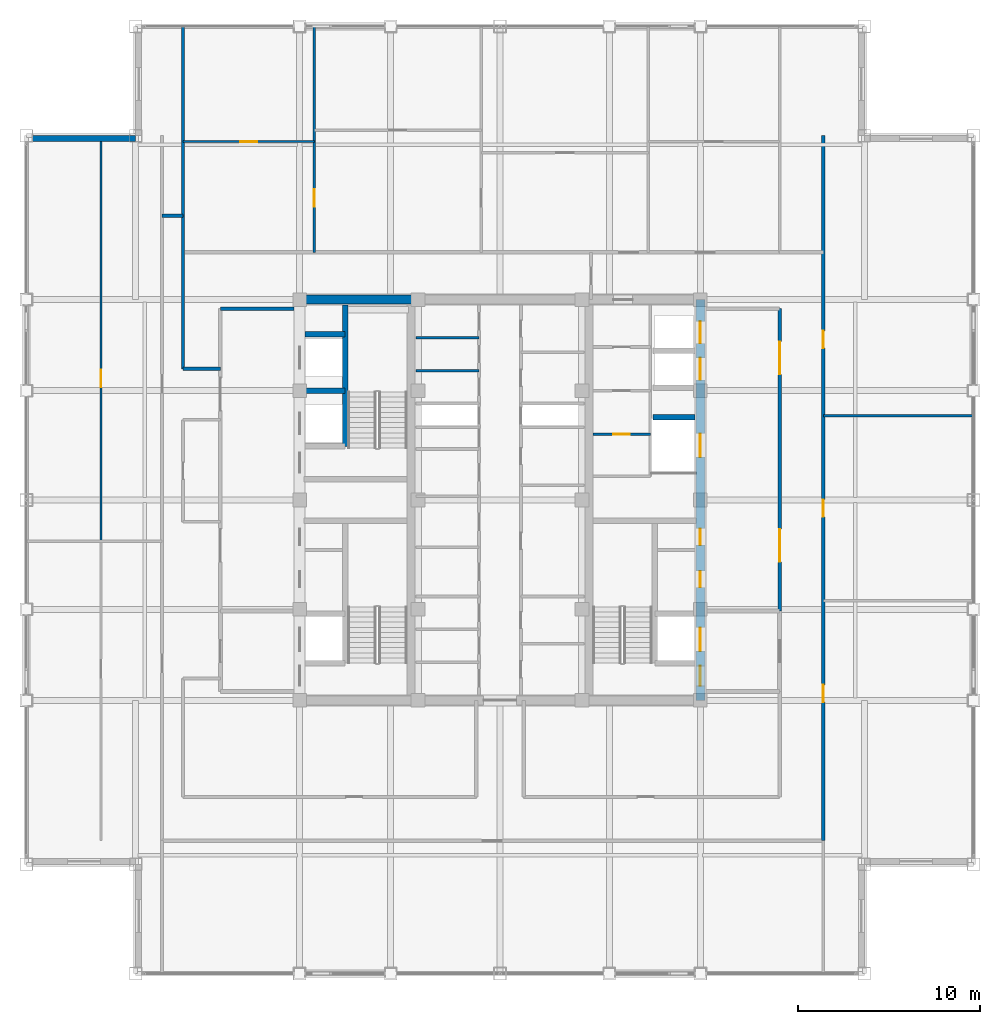
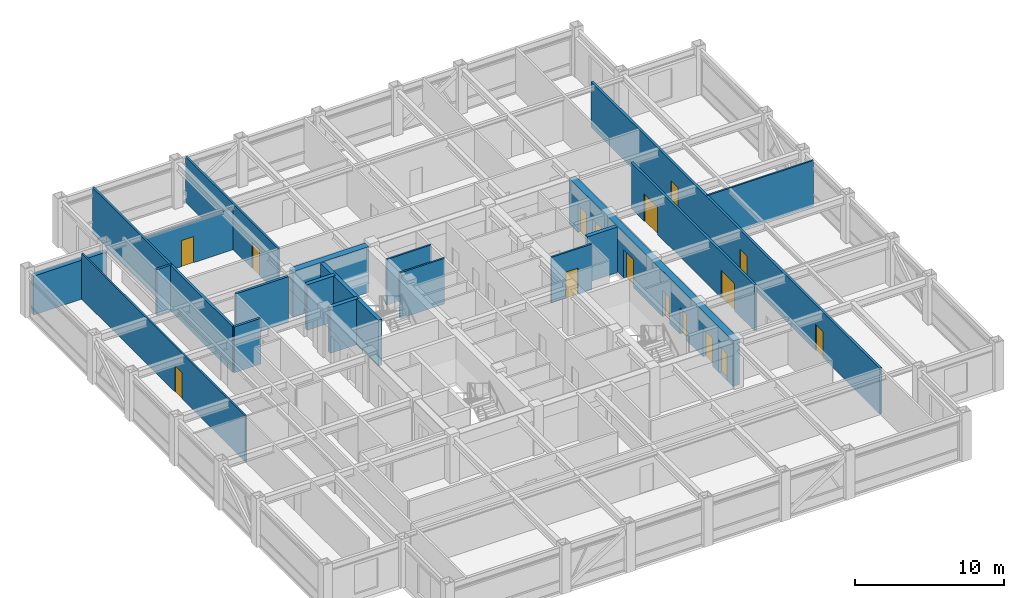
# One storey, part 26 of 29: 21 walls, 16 doors, 16 openings.
"""IFC4 building model written with IfcOpenShell, lengths in metres."""

from ifc_helpers import new_model, si_unit, direction, frame, frame_2d, origin, place, context, subcontext, project, spatial, rectangle, extrude, source, transform, mapped, material, layer, layer_set, type_object, element, fill, save


model = new_model("IFC4")

# Units and contexts
model_context = context("Model", 3, precision=1e-05, world=origin(), true_north=direction((0.0, 1.0)))
body_context = subcontext(model_context, "Body", "Model", "MODEL_VIEW")
ifc_project = project(units=[si_unit("LENGTHUNIT", "METRE"), si_unit("AREAUNIT", "SQUARE_METRE"), si_unit("VOLUMEUNIT", "CUBIC_METRE"), si_unit("PLANEANGLEUNIT", "RADIAN"), si_unit("MASSUNIT", "GRAM", prefix="KILO")], contexts=[model_context])

# Site, building, storey
site_placement = place(None, origin())
site = spatial("IfcSite", under=ifc_project, at=site_placement, CompositionType="ELEMENT")
building_placement = place(site_placement, origin())
building = spatial("IfcBuilding", under=site, at=building_placement, Name="Khorayat Bourse Tower", CompositionType="ELEMENT")
storey_placement = place(building_placement, frame((0.0, 0.0, 366.300048828125)))
storey = spatial("IfcBuildingStorey", under=building, at=storey_placement, Name="L87", CompositionType="ELEMENT", Elevation=366.300048828125)

# Wall, openings, doors
ifc_material_1 = material(Name="Concrete C52/65", Category="concrete")
ifc_layer_1 = layer(ifc_material_1, 0.5)
ifc_layer_set_1 = layer_set([ifc_layer_1], Name="Concrete C52/65")
wall_type_1 = type_object("IfcWallType", Name="WAL-CORE-500", PredefinedType="SHEAR", material=ifc_layer_set_1)
shared_shape_1 = source(origin(), body_context, "Body", "SweptSolid", [
    extrude(rectangle(XDim=22.0, YDim=0.5, at=frame_2d((11.0, 0.0))), origin(), (0.0, 0.0, 1.0), 3.739990234375),
])
wall_1_placement = place(storey_placement, frame((11.0, -11.0, 0.0), z_axis=(0.0, 0.0, 1.0), x_axis=(0.0, 1.0, 0.0)))
wall_1 = element("IfcWall", 1, at=wall_1_placement, inside=storey, type_object=wall_type_1, Name="L87 Core Shear Wall CORE-E", PredefinedType="SHEAR", context=body_context, shape_type="MappedRepresentation", body=[
    mapped(shared_shape_1, transform((0.0, 0.0, 0.0), scale=1.0)),
])
shared_shape_2 = source(origin(), body_context, "Body", "SweptSolid", [
    extrude(rectangle(XDim=1.10009765625, YDim=2.199951171875, at=frame_2d((0.550048828125, 1.10009765625))), frame((0.0, 0.260009765625, 0.0), z_axis=(0.0, -1.0, 0.0), x_axis=(1.0, 0.0, 0.0)), (0.0, 0.0, 1.0), 0.52001953125),
])
opening_1_placement = place(wall_1_placement, frame((0.800048828125, 0.0, 0.0)))
opening_1 = element("IfcOpeningElement", 2, at=opening_1_placement, cuts=wall_1, Name="Opening DI-01", PredefinedType="OPENING", context=body_context, shape_type="MappedRepresentation", body=[
    mapped(shared_shape_2, transform((0.0, 0.0, 0.0), scale=1.0)),
])
shared_shape_3 = source(origin(), body_context, "Body", "SweptSolid", [
    extrude(rectangle(XDim=0.89990234375, YDim=2.14990234375, at=frame_2d((0.449951171875, 1.074951171875))), frame((0.0, 0.260009765625, 0.0), z_axis=(0.0, -1.0, 0.0), x_axis=(1.0, 0.0, 0.0)), (0.0, 0.0, 1.0), 0.52001953125),
])
opening_2_placement = place(wall_1_placement, frame((6.199951171875, 0.0, 0.0)))
opening_2 = element("IfcOpeningElement", 3, at=opening_2_placement, cuts=wall_1, Name="Opening DI-06", PredefinedType="OPENING", context=body_context, shape_type="MappedRepresentation", body=[
    mapped(shared_shape_3, transform((0.0, 0.0, 0.0), scale=1.0)),
])
opening_3_placement = place(wall_1_placement, frame((8.52490234375, 0.0, 0.0)))
opening_3 = element("IfcOpeningElement", 4, at=opening_3_placement, cuts=wall_1, Name="Opening DI-06", PredefinedType="OPENING", context=body_context, shape_type="MappedRepresentation", body=[
    mapped(shared_shape_3, transform((0.0, 0.0, 0.0), scale=1.0)),
])
shared_shape_4 = source(origin(), body_context, "Body", "SweptSolid", [
    extrude(rectangle(XDim=1.199951171875, YDim=2.300048828125, at=frame_2d((0.60009765625, 1.14990234375))), frame((0.0, 0.260009765625, 0.0), z_axis=(0.0, -1.0, 0.0), x_axis=(1.0, 0.0, 0.0)), (0.0, 0.0, 1.0), 0.52001953125),
])
opening_4_placement = place(wall_1_placement, frame((17.60009765625, 0.0, 0.0)))
opening_4 = element("IfcOpeningElement", 5, at=opening_4_placement, cuts=wall_1, Name="Opening LD-01", PredefinedType="OPENING", context=body_context, shape_type="MappedRepresentation", body=[
    mapped(shared_shape_4, transform((0.0, 0.0, 0.0), scale=1.0)),
])
opening_5_placement = place(wall_1_placement, frame((19.60009765625, 0.0, 0.0)))
opening_5 = element("IfcOpeningElement", 6, at=opening_5_placement, cuts=wall_1, Name="Opening LD-01", PredefinedType="OPENING", context=body_context, shape_type="MappedRepresentation", body=[
    mapped(shared_shape_4, transform((0.0, 0.0, 0.0), scale=1.0)),
])
shared_shape_5 = source(origin(), body_context, "Body", "SweptSolid", [
    extrude(rectangle(XDim=1.300048828125, YDim=2.300048828125, at=frame_2d((0.64990234375, 1.14990234375))), frame((0.0, 0.260009765625, 0.0), z_axis=(0.0, -1.0, 0.0), x_axis=(1.0, 0.0, 0.0)), (0.0, 0.0, 1.0), 0.52001953125),
])
opening_6_placement = place(wall_1_placement, frame((2.699951171875, 0.0, 0.0)))
opening_6 = element("IfcOpeningElement", 7, at=opening_6_placement, cuts=wall_1, Name="Opening LD-02", PredefinedType="OPENING", context=body_context, shape_type="MappedRepresentation", body=[
    mapped(shared_shape_5, transform((0.0, 0.0, 0.0), scale=1.0)),
])
opening_7_placement = place(wall_1_placement, frame((13.35009765625, 0.0, 0.0)))
opening_7 = element("IfcOpeningElement", 8, at=opening_7_placement, cuts=wall_1, Name="Opening LD-02", PredefinedType="OPENING", context=body_context, shape_type="MappedRepresentation", body=[
    mapped(shared_shape_5, transform((0.0, 0.0, 0.0), scale=1.0)),
])
ifc_material_2 = material(Name="Fire-rated steel acoustic leaf", Category="steel")
door_type_1 = type_object("IfcDoorType", Name="DR-INT-STAIR-1100", OperationType="NOTDEFINED", PredefinedType="DOOR", material=ifc_material_2)
shared_shape_6 = source(origin(), body_context, "Body", "SweptSolid", [
    extrude(rectangle(XDim=1.10009765625, YDim=2.199951171875, at=frame_2d((0.550048828125, 1.10009765625))), frame((0.0, 0.02490234375, 0.0), z_axis=(0.0, -1.0, 0.0), x_axis=(1.0, 0.0, 0.0)), (0.0, 0.0, 1.0), 0.050048828125),
])
door_1_placement = place(opening_1_placement, origin())
door_1 = element("IfcDoor", 9, at=door_1_placement, inside=storey, type_object=door_type_1, Name="L87 Exit Stair 3 Door", OperationType="SINGLE_SWING_LEFT", OverallHeight=2.199951171875, OverallWidth=1.10009765625, PredefinedType="DOOR", context=body_context, shape_type="MappedRepresentation", body=[
    mapped(shared_shape_6, transform((0.0, 0.0, 0.0), scale=1.0)),
])
fill(opening_1, door_1)
ifc_material_3 = material(Name="Moisture-resistant laminate washroom door")
door_type_2 = type_object("IfcDoorType", Name="DR-INT-WC-900", OperationType="NOTDEFINED", PredefinedType="DOOR", material=ifc_material_3)
shared_shape_7 = source(origin(), body_context, "Body", "SweptSolid", [
    extrude(rectangle(XDim=0.89990234375, YDim=2.14990234375, at=frame_2d((0.449951171875, 1.074951171875))), frame((0.0, 0.02490234375, 0.0), z_axis=(0.0, -1.0, 0.0), x_axis=(1.0, 0.0, 0.0)), (0.0, 0.0, 1.0), 0.050048828125),
])
door_2_placement = place(opening_2_placement, origin())
door_2 = element("IfcDoor", 10, at=door_2_placement, inside=storey, type_object=door_type_2, Name="L87 Telecom Closet Door", OperationType="SINGLE_SWING_LEFT", OverallHeight=2.14990234375, OverallWidth=0.89990234375, PredefinedType="DOOR", context=body_context, shape_type="MappedRepresentation", body=[
    mapped(shared_shape_7, transform((0.0, 0.0, 0.0), scale=1.0)),
])
fill(opening_2, door_2)
door_3_placement = place(opening_3_placement, origin())
door_3 = element("IfcDoor", 11, at=door_3_placement, inside=storey, type_object=door_type_2, Name="L87 Stationery Store Door", OperationType="SINGLE_SWING_RIGHT", OverallHeight=2.14990234375, OverallWidth=0.89990234375, PredefinedType="DOOR", context=body_context, shape_type="MappedRepresentation", body=[
    mapped(shared_shape_7, transform((0.0, 0.0, 0.0), scale=1.0)),
])
fill(opening_3, door_3)
ifc_material_4 = material(Name="Brushed bronze stainless-steel sliding door", Category="steel")
door_type_3 = type_object("IfcDoorType", Name="DR-LIFT-PASS-1200", OperationType="NOTDEFINED", PredefinedType="DOOR", material=ifc_material_4)
shared_shape_8 = source(origin(), body_context, "Body", "SweptSolid", [
    extrude(rectangle(XDim=1.199951171875, YDim=2.300048828125, at=frame_2d((0.60009765625, 1.14990234375))), frame((0.0, 0.02490234375, 0.0), z_axis=(0.0, -1.0, 0.0), x_axis=(1.0, 0.0, 0.0)), (0.0, 0.0, 1.0), 0.050048828125),
])
door_4_placement = place(opening_4_placement, origin())
door_4 = element("IfcDoor", 12, at=door_4_placement, inside=storey, type_object=door_type_3, Name="L87 Lift PL-H3 Sliding Landing Door", OperationType="SLIDING_TO_LEFT", OverallHeight=2.300048828125, OverallWidth=1.199951171875, PredefinedType="DOOR", context=body_context, shape_type="MappedRepresentation", body=[
    mapped(shared_shape_8, transform((0.0, 0.0, 0.0), scale=1.0)),
])
fill(opening_4, door_4)
door_5_placement = place(opening_5_placement, origin())
door_5 = element("IfcDoor", 13, at=door_5_placement, inside=storey, type_object=door_type_3, Name="L87 Lift PL-H4 Sliding Landing Door", OperationType="SLIDING_TO_LEFT", OverallHeight=2.300048828125, OverallWidth=1.199951171875, PredefinedType="DOOR", context=body_context, shape_type="MappedRepresentation", body=[
    mapped(shared_shape_8, transform((0.0, 0.0, 0.0), scale=1.0)),
])
fill(opening_5, door_5)
ifc_material_5 = material(Name="Fire-rated stainless-steel sliding landing door", Category="steel")
door_type_4 = type_object("IfcDoorType", Name="DR-LIFT-FF-1300", OperationType="NOTDEFINED", PredefinedType="DOOR", material=ifc_material_5)
shared_shape_9 = source(origin(), body_context, "Body", "SweptSolid", [
    extrude(rectangle(XDim=1.300048828125, YDim=2.300048828125, at=frame_2d((0.64990234375, 1.14990234375))), frame((0.0, 0.02490234375, 0.0), z_axis=(0.0, -1.0, 0.0), x_axis=(1.0, 0.0, 0.0)), (0.0, 0.0, 1.0), 0.050048828125),
])
door_6_placement = place(opening_6_placement, origin())
door_6 = element("IfcDoor", 14, at=door_6_placement, inside=storey, type_object=door_type_4, Name="L87 Lift FFL-02 Sliding Landing Door", OperationType="SLIDING_TO_LEFT", OverallHeight=2.300048828125, OverallWidth=1.300048828125, PredefinedType="DOOR", context=body_context, shape_type="MappedRepresentation", body=[
    mapped(shared_shape_9, transform((0.0, 0.0, 0.0), scale=1.0)),
])
fill(opening_6, door_6)
door_7_placement = place(opening_7_placement, origin())
door_7 = element("IfcDoor", 15, at=door_7_placement, inside=storey, type_object=door_type_4, Name="L87 Lift SVL-01 Sliding Landing Door", OperationType="SLIDING_TO_LEFT", OverallHeight=2.300048828125, OverallWidth=1.300048828125, PredefinedType="DOOR", context=body_context, shape_type="MappedRepresentation", body=[
    mapped(shared_shape_9, transform((0.0, 0.0, 0.0), scale=1.0)),
])
fill(opening_7, door_7)

# Walls
shared_shape_10 = source(origin(), body_context, "Body", "SweptSolid", [
    extrude(rectangle(XDim=5.89990234375, YDim=0.5, at=frame_2d((2.949951171875, 0.0))), origin(), (0.0, 0.0, 1.0), 3.739990234375),
])
wall_2_placement = place(storey_placement, frame((-10.75, 11.0, 0.0), z_axis=(0.0, 0.0, 1.0), x_axis=(1.0, 0.0, 0.0)))
element("IfcWall", 16, at=wall_2_placement, inside=storey, type_object=wall_type_1, Name="L87 Core Shear Wall PIER-WN", PredefinedType="SHEAR", context=body_context, shape_type="MappedRepresentation", body=[
    mapped(shared_shape_10, transform((0.0, 0.0, 0.0), scale=1.0)),
])
ifc_material_6 = material(Name="Precast concrete C45/55", Category="concrete")
ifc_layer_2 = layer(ifc_material_6, 0.320068359375)
ifc_layer_set_2 = layer_set([ifc_layer_2], Name="Precast concrete C45/55")
wall_type_2 = type_object("IfcWallType", Name="WAL-EXT-STONE-320", PredefinedType="STANDARD", material=ifc_layer_set_2)
shared_shape_11 = source(origin(), body_context, "Body", "SweptSolid", [
    extrude(rectangle(XDim=5.679931640625, YDim=0.320068359375, at=frame_2d((2.83984375, 0.0))), origin(), (0.0, 0.0, 1.0), 3.19091796875),
])
wall_3_placement = place(storey_placement, frame((-20.0, 19.840087890625, 0.0), z_axis=(0.0, 0.0, 1.0), x_axis=(-1.0, 0.0, 0.0)))
element("IfcWall", 17, at=wall_3_placement, inside=storey, type_object=wall_type_2, Name="L87 Re-Entrant Notch Limestone Wall NW-H", PredefinedType="STANDARD", context=body_context, shape_type="MappedRepresentation", body=[
    mapped(shared_shape_11, transform((0.0, 0.0, 0.0), scale=1.0)),
])
ifc_material_7 = material(Name="Concrete C50/60", Category="concrete")
ifc_layer_3 = layer(ifc_material_7, 0.300048828125)
ifc_layer_set_3 = layer_set([ifc_layer_3], Name="Concrete C50/60")
wall_type_3 = type_object("IfcWallType", Name="WAL-SHAFT-300", PredefinedType="SHEAR", material=ifc_layer_set_3)
shared_shape_12 = source(origin(), body_context, "Body", "SweptSolid", [
    extrude(rectangle(XDim=2.199951171875, YDim=0.300048828125, at=frame_2d((1.10009765625, 0.0))), origin(), (0.0, 0.0, 1.0), 3.739990234375),
])
for number, where, z_axis, x_axis, name in (
    (18, (-10.699951171875, 6.0, 0.0), (0.0, 0.0, 1.0), (1.0, 0.0, 0.0), "L87 Partition WAL-L87-WPIER-H12"),
    (19, (-10.699951171875, 9.10009765625, 0.0), (0.0, 0.0, 1.0), (1.0, 0.0, 0.0), "L87 Partition WAL-L87-WPIER-H2N"),
):
    element("IfcWall", number, at=place(storey_placement, frame(where, z_axis=z_axis, x_axis=x_axis)), inside=storey, type_object=wall_type_3, Name=name, PredefinedType="SHEAR", context=body_context, shape_type="MappedRepresentation", body=[
        mapped(shared_shape_12, transform((0.0, 0.0, 0.0), scale=1.0)),
    ])
shared_shape_13 = source(origin(), body_context, "Body", "SweptSolid", [
    extrude(rectangle(XDim=7.75, YDim=0.300048828125, at=frame_2d((3.875, 0.0))), origin(), (0.0, 0.0, 1.0), 3.739990234375),
])
wall_4_placement = place(storey_placement, frame((-8.5, 2.949951171875, 0.0), z_axis=(0.0, 0.0, 1.0), x_axis=(0.0, 1.0, 0.0)))
element("IfcWall", 20, at=wall_4_placement, inside=storey, type_object=wall_type_3, Name="L87 Partition WAL-L87-WPIER-ST2S", PredefinedType="SHEAR", context=body_context, shape_type="MappedRepresentation", body=[
    mapped(shared_shape_13, transform((0.0, 0.0, 0.0), scale=1.0)),
])
shared_shape_14 = source(origin(), body_context, "Body", "SweptSolid", [
    extrude(rectangle(XDim=2.300048828125, YDim=0.300048828125, at=frame_2d((1.14990234375, 0.0))), origin(), (0.0, 0.0, 1.0), 3.739990234375),
])
wall_5_placement = place(storey_placement, frame((8.39990234375, 4.550048828125, 0.0), z_axis=(0.0, 0.0, 1.0), x_axis=(1.0, 0.0, 0.0)))
element("IfcWall", 21, at=wall_5_placement, inside=storey, type_object=wall_type_3, Name="L87 Partition WAL-L87-EPIER-SVLN", PredefinedType="SHEAR", context=body_context, shape_type="MappedRepresentation", body=[
    mapped(shared_shape_14, transform((0.0, 0.0, 0.0), scale=1.0)),
])

# Wall, opening, door
ifc_material_8 = material(Name="Moisture-resistant masonry partition", Category="masonry")
ifc_layer_4 = layer(ifc_material_8, 0.139892578125)
ifc_layer_set_4 = layer_set([ifc_layer_4], Name="Moisture-resistant masonry partition")
wall_type_4 = type_object("IfcWallType", Name="WAL-PART-WET-140", PredefinedType="PARTITIONING", material=ifc_layer_set_4)
shared_shape_15 = source(origin(), body_context, "Body", "SweptSolid", [
    extrude(rectangle(XDim=3.14990234375, YDim=0.139892578125, at=frame_2d((1.574951171875, 0.0))), origin(), (0.0, 0.0, 1.0), 3.739990234375),
])
wall_6_placement = place(storey_placement, frame((5.10009765625, 3.60009765625, 0.0), z_axis=(0.0, 0.0, 1.0), x_axis=(1.0, 0.0, 0.0)))
wall_6 = element("IfcWall", 22, at=wall_6_placement, inside=storey, type_object=wall_type_4, Name="L87 Partition WAL-L87-ECW-H2", PredefinedType="PARTITIONING", context=body_context, shape_type="MappedRepresentation", body=[
    mapped(shared_shape_15, transform((0.0, 0.0, 0.0), scale=1.0)),
])
shared_shape_16 = source(origin(), body_context, "Body", "SweptSolid", [
    extrude(rectangle(XDim=0.89990234375, YDim=2.14990234375, at=frame_2d((0.449951171875, 1.074951171875))), frame((0.0, 0.079833984375, 0.0), z_axis=(0.0, -1.0, 0.0), x_axis=(1.0, 0.0, 0.0)), (0.0, 0.0, 1.0), 0.159912109375),
])
opening_8_placement = place(wall_6_placement, frame((1.1298828125, 0.0, 0.0)))
opening_8 = element("IfcOpeningElement", 23, at=opening_8_placement, cuts=wall_6, Name="Opening DI-06", PredefinedType="OPENING", context=body_context, shape_type="MappedRepresentation", body=[
    mapped(shared_shape_16, transform((0.0, 0.0, 0.0), scale=1.0)),
])
door_8_placement = place(opening_8_placement, origin())
door_8 = element("IfcDoor", 24, at=door_8_placement, inside=storey, type_object=door_type_2, Name="L87 Staff Washroom Door", OperationType="SINGLE_SWING_LEFT", OverallHeight=2.14990234375, OverallWidth=0.89990234375, PredefinedType="DOOR", context=body_context, shape_type="MappedRepresentation", body=[
    mapped(shared_shape_7, transform((0.0, 0.0, 0.0), scale=1.0)),
])
fill(opening_8, door_8)

# Wall
ifc_material_9 = material(Name="Gypsum plasterboard acoustic stud wall")
ifc_layer_5 = layer(ifc_material_9, 0.179931640625)
ifc_layer_set_5 = layer_set([ifc_layer_5], Name="Gypsum plasterboard acoustic stud wall")
wall_type_5 = type_object("IfcWallType", Name="WAL-PART-CORR-180", PredefinedType="PARTITIONING", material=ifc_layer_set_5)
shared_shape_17 = source(origin(), body_context, "Body", "SweptSolid", [
    extrude(rectangle(XDim=4.050048828125, YDim=0.179931640625, at=frame_2d((2.02490234375, 0.0))), origin(), (0.0, 0.0, 1.0), 3.739990234375),
])
wall_7_placement = place(storey_placement, frame((-15.35009765625, 10.5, 0.0), z_axis=(0.0, 0.0, 1.0), x_axis=(1.0, 0.0, 0.0)))
element("IfcWall", 25, at=wall_7_placement, inside=storey, type_object=wall_type_5, Name="L87 Partition WAL-L87-WLOB-N", PredefinedType="PARTITIONING", context=body_context, shape_type="MappedRepresentation", body=[
    mapped(shared_shape_17, transform((0.0, 0.0, 0.0), scale=1.0)),
])

# Wall, openings, doors
shared_shape_18 = source(origin(), body_context, "Body", "SweptSolid", [
    extrude(rectangle(XDim=16.60009765625, YDim=0.179931640625, at=frame_2d((8.300048828125, 0.0))), origin(), (0.0, 0.0, 1.0), 3.739990234375),
])
wall_8_placement = place(storey_placement, frame((15.35009765625, -6.10009765625, 0.0), z_axis=(0.0, 0.0, 1.0), x_axis=(0.0, 1.0, 0.0)))
wall_8 = element("IfcWall", 26, at=wall_8_placement, inside=storey, type_object=wall_type_5, Name="L87 Partition WAL-L87-ELOB-E", PredefinedType="PARTITIONING", context=body_context, shape_type="MappedRepresentation", body=[
    mapped(shared_shape_18, transform((0.0, 0.0, 0.0), scale=1.0)),
])
shared_shape_19 = source(origin(), body_context, "Body", "SweptSolid", [
    extrude(rectangle(XDim=1.800048828125, YDim=2.25, at=frame_2d((0.89990234375, 1.125))), frame((0.0, 0.099853515625, 0.0), z_axis=(0.0, -1.0, 0.0), x_axis=(1.0, 0.0, 0.0)), (0.0, 0.0, 1.0), 0.199951171875),
])
opening_9_placement = place(wall_8_placement, frame((2.699951171875, 0.0, 0.0)))
opening_9 = element("IfcOpeningElement", 27, at=opening_9_placement, cuts=wall_8, Name="Opening DI-03", PredefinedType="OPENING", context=body_context, shape_type="MappedRepresentation", body=[
    mapped(shared_shape_19, transform((0.0, 0.0, 0.0), scale=1.0)),
])
opening_10_placement = place(wall_8_placement, frame((13.0, 0.0, 0.0)))
opening_10 = element("IfcOpeningElement", 28, at=opening_10_placement, cuts=wall_8, Name="Opening DI-03", PredefinedType="OPENING", context=body_context, shape_type="MappedRepresentation", body=[
    mapped(shared_shape_19, transform((0.0, 0.0, 0.0), scale=1.0)),
])
ifc_material_10 = material(Name="Fire-rated hardwood vision-panel double leaf", Category="wood")
door_type_5 = type_object("IfcDoorType", Name="DR-INT-CORR-1800", OperationType="NOTDEFINED", PredefinedType="DOOR", material=ifc_material_10)
shared_shape_20 = source(origin(), body_context, "Body", "SweptSolid", [
    extrude(rectangle(XDim=1.800048828125, YDim=2.25, at=frame_2d((0.89990234375, 1.125))), frame((0.0, 0.02490234375, 0.0), z_axis=(0.0, -1.0, 0.0), x_axis=(1.0, 0.0, 0.0)), (0.0, 0.0, 1.0), 0.050048828125),
])
door_9_placement = place(opening_9_placement, origin())
door_9 = element("IfcDoor", 29, at=door_9_placement, inside=storey, type_object=door_type_5, Name="L87 East Core Lobby South Door", OperationType="SINGLE_SWING_RIGHT", OverallHeight=2.25, OverallWidth=1.800048828125, PredefinedType="DOOR", context=body_context, shape_type="MappedRepresentation", body=[
    mapped(shared_shape_20, transform((0.0, 0.0, 0.0), scale=1.0)),
])
fill(opening_9, door_9)
door_10_placement = place(opening_10_placement, origin())
door_10 = element("IfcDoor", 30, at=door_10_placement, inside=storey, type_object=door_type_5, Name="L87 East Core Lobby North Door", OperationType="SINGLE_SWING_LEFT", OverallHeight=2.25, OverallWidth=1.800048828125, PredefinedType="DOOR", context=body_context, shape_type="MappedRepresentation", body=[
    mapped(shared_shape_20, transform((0.0, 0.0, 0.0), scale=1.0)),
])
fill(opening_10, door_10)

# Walls
shared_shape_21 = source(origin(), body_context, "Body", "SweptSolid", [
    extrude(rectangle(XDim=3.4501953125, YDim=0.139892578125, at=frame_2d((1.72509765625, 0.0))), origin(), (0.0, 0.0, 1.0), 3.739990234375),
])
for number, where, z_axis, x_axis, name in (
    (31, (-4.60009765625, 7.10009765625, 0.0), (0.0, 0.0, 1.0), (1.0, 0.0, 0.0), "L87 Partition WAL-L87-FB2W-D1"),
    (32, (-4.60009765625, 8.89990234375, 0.0), (0.0, 0.0, 1.0), (1.0, 0.0, 0.0), "L87 Partition WAL-L87-FB2W-D2"),
):
    element("IfcWall", number, at=place(storey_placement, frame(where, z_axis=z_axis, x_axis=x_axis)), inside=storey, type_object=wall_type_4, Name=name, PredefinedType="PARTITIONING", context=body_context, shape_type="MappedRepresentation", body=[
        mapped(shared_shape_21, transform((0.0, 0.0, 0.0), scale=1.0)),
    ])
shared_shape_22 = source(origin(), body_context, "Body", "SweptSolid", [
    extrude(rectangle(XDim=2.0498046875, YDim=0.179931640625, at=frame_2d((1.02490234375, 0.0))), origin(), (0.0, 0.0, 1.0), 3.739990234375),
])
wall_9_placement = place(storey_placement, frame((-17.39990234375, 7.199951171875, 0.0), z_axis=(0.0, 0.0, 1.0), x_axis=(1.0, 0.0, 0.0)))
element("IfcWall", 33, at=wall_9_placement, inside=storey, type_object=wall_type_5, Name="L87 Partition WAL-L87-THRWN-T", PredefinedType="PARTITIONING", context=body_context, shape_type="MappedRepresentation", body=[
    mapped(shared_shape_22, transform((0.0, 0.0, 0.0), scale=1.0)),
])
shared_shape_23 = source(origin(), body_context, "Body", "SweptSolid", [
    extrude(rectangle(XDim=8.400146484375, YDim=0.179931640625, at=frame_2d((4.2001953125, 0.0))), origin(), (0.0, 0.0, 1.0), 3.739990234375),
])
wall_10_placement = place(storey_placement, frame((-17.39990234375, 7.199951171875, 0.0), z_axis=(0.0, 0.0, 1.0), x_axis=(0.0, 1.0, 0.0)))
element("IfcWall", 34, at=wall_10_placement, inside=storey, type_object=wall_type_5, Name="L87 Partition WAL-L87-THRWN-N", PredefinedType="PARTITIONING", context=body_context, shape_type="MappedRepresentation", body=[
    mapped(shared_shape_23, transform((0.0, 0.0, 0.0), scale=1.0)),
])
shared_shape_24 = source(origin(), body_context, "Body", "SweptSolid", [
    extrude(rectangle(XDim=1.150146484375, YDim=0.179931640625, at=frame_2d((0.5751953125, 0.0))), origin(), (0.0, 0.0, 1.0), 3.739990234375),
])
wall_11_placement = place(storey_placement, frame((-18.550048828125, 15.60009765625, 0.0), z_axis=(0.0, 0.0, 1.0), x_axis=(1.0, 0.0, 0.0)))
element("IfcWall", 35, at=wall_11_placement, inside=storey, type_object=wall_type_5, Name="L87 Partition WAL-L87-GALW-N", PredefinedType="PARTITIONING", context=body_context, shape_type="MappedRepresentation", body=[
    mapped(shared_shape_24, transform((0.0, 0.0, 0.0), scale=1.0)),
])

# Wall, opening, door
ifc_material_11 = material(Name="Gypsum plasterboard twin-frame partition")
ifc_layer_6 = layer(ifc_material_11, 0.14990234375)
ifc_layer_set_6 = layer_set([ifc_layer_6], Name="Gypsum plasterboard twin-frame partition")
wall_type_6 = type_object("IfcWallType", Name="WAL-PART-SUITE-150", PredefinedType="PARTITIONING", material=ifc_layer_set_6)
shared_shape_25 = source(origin(), body_context, "Body", "SweptSolid", [
    extrude(rectangle(XDim=12.39990234375, YDim=0.14990234375, at=frame_2d((6.199951171875, 0.0))), origin(), (0.0, 0.0, 1.0), 3.739990234375),
])
wall_12_placement = place(storey_placement, frame((-10.195068359375, 13.60009765625, 0.0), z_axis=(0.0, 0.0, 1.0), x_axis=(0.0, 1.0, 0.0)))
wall_12 = element("IfcWall", 36, at=wall_12_placement, inside=storey, type_object=wall_type_6, Name="L87 Partition WAL-L87-NDV-1", PredefinedType="PARTITIONING", context=body_context, shape_type="MappedRepresentation", body=[
    mapped(shared_shape_25, transform((0.0, 0.0, 0.0), scale=1.0)),
])
shared_shape_26 = source(origin(), body_context, "Body", "SweptSolid", [
    extrude(rectangle(XDim=0.949951171875, YDim=2.14990234375, at=frame_2d((0.47509765625, 1.074951171875))), frame((0.0, 0.0849609375, 0.0), z_axis=(0.0, -1.0, 0.0), x_axis=(1.0, 0.0, 0.0)), (0.0, 0.0, 1.0), 0.169921875),
])
opening_11_placement = place(wall_12_placement, frame((2.5009765625, 0.0, 0.0)))
opening_11 = element("IfcOpeningElement", 37, at=opening_11_placement, cuts=wall_12, Name="Opening DI-05", PredefinedType="OPENING", context=body_context, shape_type="MappedRepresentation", body=[
    mapped(shared_shape_26, transform((0.0, 0.0, 0.0), scale=1.0)),
])
ifc_material_12 = material(Name="Acoustic oak veneer office door")
door_type_6 = type_object("IfcDoorType", Name="DR-INT-OFFICE-950", OperationType="NOTDEFINED", PredefinedType="DOOR", material=ifc_material_12)
shared_shape_27 = source(origin(), body_context, "Body", "SweptSolid", [
    extrude(rectangle(XDim=0.949951171875, YDim=2.14990234375, at=frame_2d((0.47509765625, 1.074951171875))), frame((0.0, 0.02490234375, 0.0), z_axis=(0.0, -1.0, 0.0), x_axis=(1.0, 0.0, 0.0)), (0.0, 0.0, 1.0), 0.050048828125),
])
door_11_placement = place(opening_11_placement, origin())
door_11 = element("IfcDoor", 38, at=door_11_placement, inside=storey, type_object=door_type_6, Name="L87 N Suite Link 1", OperationType="SINGLE_SWING_RIGHT", OverallHeight=2.14990234375, OverallWidth=0.949951171875, PredefinedType="DOOR", context=body_context, shape_type="MappedRepresentation", body=[
    mapped(shared_shape_27, transform((0.0, 0.0, 0.0), scale=1.0)),
])
fill(opening_11, door_11)

# Walls
shared_shape_28 = source(origin(), body_context, "Body", "SweptSolid", [
    extrude(rectangle(XDim=10.39990234375, YDim=0.14990234375, at=frame_2d((5.199951171875, 0.0))), origin(), (0.0, 0.0, 1.0), 3.739990234375),
])
wall_13_placement = place(storey_placement, frame((-17.39990234375, 15.60009765625, 0.0), z_axis=(0.0, 0.0, 1.0), x_axis=(0.0, 1.0, 0.0)))
element("IfcWall", 39, at=wall_13_placement, inside=storey, type_object=wall_type_6, Name="L87 Partition WAL-L87-NCW-END", PredefinedType="PARTITIONING", context=body_context, shape_type="MappedRepresentation", body=[
    mapped(shared_shape_28, transform((0.0, 0.0, 0.0), scale=1.0)),
])
ifc_material_13 = material(Name="Gypsum plasterboard partition")
ifc_layer_7 = layer(ifc_material_13, 0.125)
ifc_layer_set_7 = layer_set([ifc_layer_7], Name="Gypsum plasterboard partition")
wall_type_7 = type_object("IfcWallType", Name="WAL-PART-ROOM-125", PredefinedType="PARTITIONING", material=ifc_layer_set_7)
shared_shape_29 = source(origin(), body_context, "Body", "SweptSolid", [
    extrude(rectangle(XDim=8.25, YDim=0.125, at=frame_2d((4.125, 0.0))), origin(), (0.0, 0.0, 1.0), 3.739990234375),
])
wall_14_placement = place(storey_placement, frame((17.75, 4.6298828125, 0.0), z_axis=(0.0, 0.0, 1.0), x_axis=(1.0, 0.0, 0.0)))
element("IfcWall", 40, at=wall_14_placement, inside=storey, type_object=wall_type_7, Name="L87 Partition WAL-L87-EDV-2", PredefinedType="PARTITIONING", context=body_context, shape_type="MappedRepresentation", body=[
    mapped(shared_shape_29, transform((0.0, 0.0, 0.0), scale=1.0)),
])

# Wall, opening, door
shared_shape_30 = source(origin(), body_context, "Body", "SweptSolid", [
    extrude(rectangle(XDim=7.204833984375, YDim=0.125, at=frame_2d((3.6025390625, 0.0))), origin(), (0.0, 0.0, 1.0), 3.39306640625),
])
wall_15_placement = place(storey_placement, frame((-17.39990234375, 19.676025390625, 0.0), z_axis=(0.0, 0.0, 1.0), x_axis=(1.0, 0.0, 0.0)))
wall_15 = element("IfcWall", 41, at=wall_15_placement, inside=storey, type_object=wall_type_7, Name="L87 Partition WAL-L87-NDP-1", PredefinedType="PARTITIONING", context=body_context, shape_type="MappedRepresentation", body=[
    mapped(shared_shape_30, transform((0.0, 0.0, 0.0), scale=1.0)),
])
shared_shape_31 = source(origin(), body_context, "Body", "SweptSolid", [
    extrude(rectangle(XDim=0.949951171875, YDim=2.14990234375, at=frame_2d((0.47509765625, 1.074951171875))), frame((0.0, 0.072509765625, 0.0), z_axis=(0.0, -1.0, 0.0), x_axis=(1.0, 0.0, 0.0)), (0.0, 0.0, 1.0), 0.14501953125),
])
opening_12_placement = place(wall_15_placement, frame((3.12744140625, 0.0, 0.0)))
opening_12 = element("IfcOpeningElement", 42, at=opening_12_placement, cuts=wall_15, Name="Opening DI-05", PredefinedType="OPENING", context=body_context, shape_type="MappedRepresentation", body=[
    mapped(shared_shape_31, transform((0.0, 0.0, 0.0), scale=1.0)),
])
door_12_placement = place(opening_12_placement, origin())
door_12 = element("IfcDoor", 43, at=door_12_placement, inside=storey, type_object=door_type_6, Name="L87 Executive Wellness Fitness Gym N1B Door", OperationType="SINGLE_SWING_RIGHT", OverallHeight=2.14990234375, OverallWidth=0.949951171875, PredefinedType="DOOR", context=body_context, shape_type="MappedRepresentation", body=[
    mapped(shared_shape_27, transform((0.0, 0.0, 0.0), scale=1.0)),
])
fill(opening_12, door_12)

shared_shape_32 = source(origin(), body_context, "Body", "SweptSolid", [
    extrude(rectangle(XDim=21.9638671875, YDim=0.125, at=frame_2d((10.98193359375, 0.0))), origin(), (0.0, 0.0, 1.0), 3.739990234375),
])
wall_16_placement = place(storey_placement, frame((-21.902587890625, -2.263916015625, 0.0), z_axis=(0.0, 0.0, 1.0), x_axis=(0.0, 1.0, 0.0)))
wall_16 = element("IfcWall", 44, at=wall_16_placement, inside=storey, type_object=wall_type_7, Name="L87 Partition WAL-L87-WDP-2", PredefinedType="PARTITIONING", context=body_context, shape_type="MappedRepresentation", body=[
    mapped(shared_shape_32, transform((0.0, 0.0, 0.0), scale=1.0)),
])
opening_13_placement = place(wall_16_placement, frame((8.45703125, 0.0, 0.0)))
opening_13 = element("IfcOpeningElement", 45, at=opening_13_placement, cuts=wall_16, Name="Opening DI-05", PredefinedType="OPENING", context=body_context, shape_type="MappedRepresentation", body=[
    mapped(shared_shape_31, transform((0.0, 0.0, 0.0), scale=1.0)),
])
door_13_placement = place(opening_13_placement, origin())
door_13 = element("IfcDoor", 46, at=door_13_placement, inside=storey, type_object=door_type_6, Name="L87 Executive Wellness Fitness Gym W2B Door", OperationType="SINGLE_SWING_LEFT", OverallHeight=2.14990234375, OverallWidth=0.949951171875, PredefinedType="DOOR", context=body_context, shape_type="MappedRepresentation", body=[
    mapped(shared_shape_27, transform((0.0, 0.0, 0.0), scale=1.0)),
])
fill(opening_13, door_13)

# Wall, openings, doors
shared_shape_33 = source(origin(), body_context, "Body", "SweptSolid", [
    extrude(rectangle(XDim=38.699951171875, YDim=0.179931640625, at=frame_2d((19.35009765625, 0.0))), origin(), (0.0, 0.0, 1.0), 3.739990234375),
])
wall_17_placement = place(storey_placement, frame((17.75, -18.699951171875, 0.0), z_axis=(0.0, 0.0, 1.0), x_axis=(0.0, 1.0, 0.0)))
wall_17 = element("IfcWall", 47, at=wall_17_placement, inside=storey, type_object=wall_type_5, Name="L87 Partition WAL-L87-ECORR", PredefinedType="PARTITIONING", context=body_context, shape_type="MappedRepresentation", body=[
    mapped(shared_shape_33, transform((0.0, 0.0, 0.0), scale=1.0)),
])
shared_shape_34 = source(origin(), body_context, "Body", "SweptSolid", [
    extrude(rectangle(XDim=0.949951171875, YDim=2.14990234375, at=frame_2d((0.47509765625, 1.074951171875))), frame((0.0, 0.099853515625, 0.0), z_axis=(0.0, -1.0, 0.0), x_axis=(1.0, 0.0, 0.0)), (0.0, 0.0, 1.0), 0.199951171875),
])
opening_14_placement = place(wall_17_placement, frame((7.60693359375, 0.0, 0.0)))
opening_14 = element("IfcOpeningElement", 48, at=opening_14_placement, cuts=wall_17, Name="Opening DI-05", PredefinedType="OPENING", context=body_context, shape_type="MappedRepresentation", body=[
    mapped(shared_shape_34, transform((0.0, 0.0, 0.0), scale=1.0)),
])
opening_15_placement = place(wall_17_placement, frame((17.77197265625, 0.0, 0.0)))
opening_15 = element("IfcOpeningElement", 49, at=opening_15_placement, cuts=wall_17, Name="Opening DI-05", PredefinedType="OPENING", context=body_context, shape_type="MappedRepresentation", body=[
    mapped(shared_shape_34, transform((0.0, 0.0, 0.0), scale=1.0)),
])
opening_16_placement = place(wall_17_placement, frame((27.0400390625, 0.0, 0.0)))
opening_16 = element("IfcOpeningElement", 50, at=opening_16_placement, cuts=wall_17, Name="Opening DI-05", PredefinedType="OPENING", context=body_context, shape_type="MappedRepresentation", body=[
    mapped(shared_shape_34, transform((0.0, 0.0, 0.0), scale=1.0)),
])
door_14_placement = place(opening_14_placement, origin())
door_14 = element("IfcDoor", 51, at=door_14_placement, inside=storey, type_object=door_type_6, Name="L87 Members Club Room E1 Door", OperationType="SINGLE_SWING_RIGHT", OverallHeight=2.14990234375, OverallWidth=0.949951171875, PredefinedType="DOOR", context=body_context, shape_type="MappedRepresentation", body=[
    mapped(shared_shape_27, transform((0.0, 0.0, 0.0), scale=1.0)),
])
fill(opening_14, door_14)
door_15_placement = place(opening_15_placement, origin())
door_15 = element("IfcDoor", 52, at=door_15_placement, inside=storey, type_object=door_type_6, Name="L87 Clearing Operations Office E2 Door", OperationType="SINGLE_SWING_LEFT", OverallHeight=2.14990234375, OverallWidth=0.949951171875, PredefinedType="DOOR", context=body_context, shape_type="MappedRepresentation", body=[
    mapped(shared_shape_27, transform((0.0, 0.0, 0.0), scale=1.0)),
])
fill(opening_15, door_15)
door_16_placement = place(opening_16_placement, origin())
door_16 = element("IfcDoor", 53, at=door_16_placement, inside=storey, type_object=door_type_6, Name="L87 Market Risk Analytics Workspace E3 Door", OperationType="SINGLE_SWING_RIGHT", OverallHeight=2.14990234375, OverallWidth=0.949951171875, PredefinedType="DOOR", context=body_context, shape_type="MappedRepresentation", body=[
    mapped(shared_shape_27, transform((0.0, 0.0, 0.0), scale=1.0)),
])
fill(opening_16, door_16)

save(model, "model.ifc")
